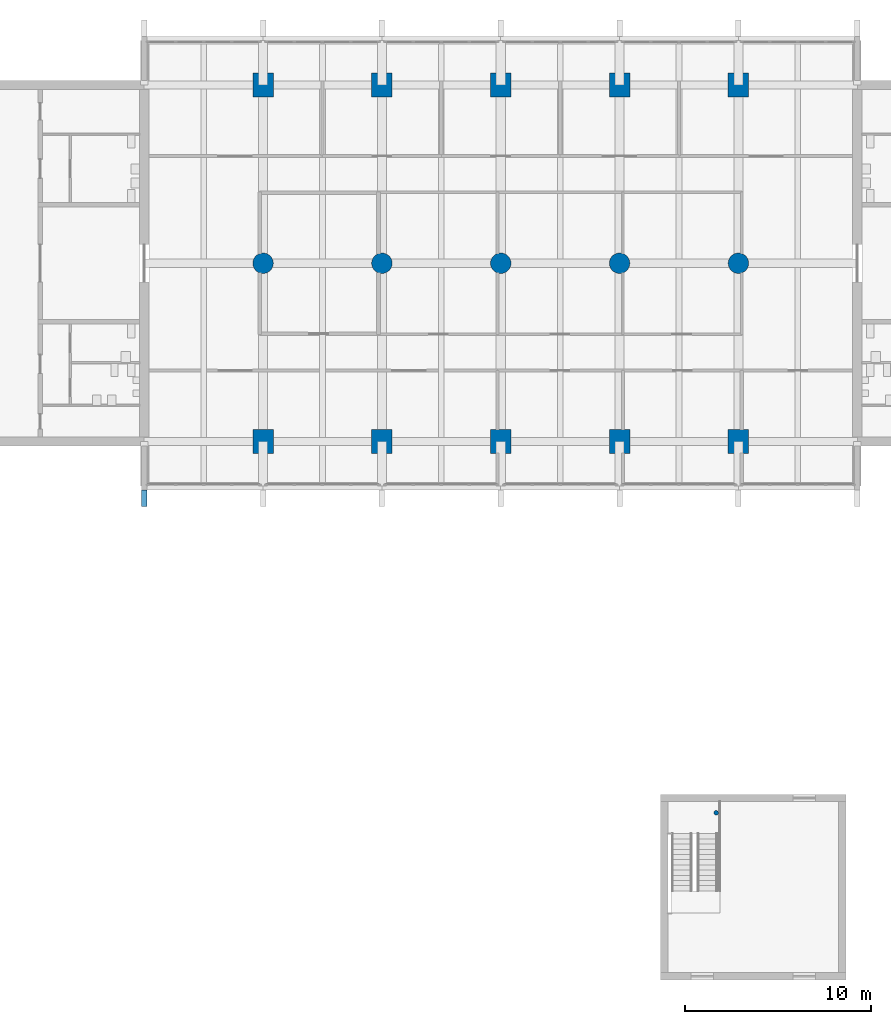
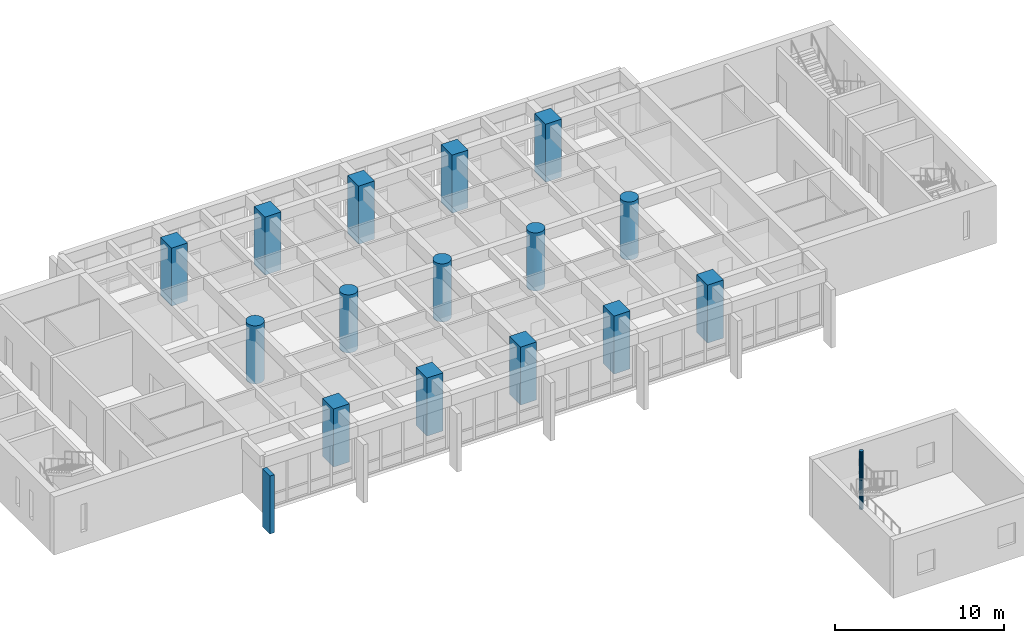
# One storey, part 1 of 18: 16 columns, 1 member.
"""IFC4 building model written with IfcOpenShell, lengths in metres."""

from ifc_helpers import new_model, si_unit, direction, frame, origin, origin_2d, place, context, subcontext, project, spatial, rectangle, circle, extrude, material, material_profile, profile_set, type_object, element, save


model = new_model("IFC4")

# Units and contexts
model_context = context("Model", 3, precision=1e-05, world=origin(), true_north=direction((0.0, 1.0)))
body_context = subcontext(model_context, "Body", "Model", "MODEL_VIEW")
ifc_project = project(units=[si_unit("LENGTHUNIT", "METRE"), si_unit("AREAUNIT", "SQUARE_METRE"), si_unit("VOLUMEUNIT", "CUBIC_METRE"), si_unit("PLANEANGLEUNIT", "RADIAN"), si_unit("MASSUNIT", "GRAM", prefix="KILO")], contexts=[model_context])

# Site, building, storey
site_placement = place(None, origin())
site = spatial("IfcSite", under=ifc_project, at=site_placement, CompositionType="ELEMENT")
building_placement = place(site_placement, origin())
building = spatial("IfcBuilding", under=site, at=building_placement, Name="Fogon Plaza Fire Station and Headquarters Tower", CompositionType="ELEMENT")
storey_placement = place(building_placement, frame((0.0, 0.0, 12.89990234375)))
storey = spatial("IfcBuildingStorey", under=building, at=storey_placement, Name="L03", CompositionType="ELEMENT", Elevation=12.89990234375)

# Columns
ifc_material_1 = material(Name="Concrete C40", Category="concrete")
ifc_material_profile_1 = material_profile(ifc_material_1, rectangle(XDim=1.10009765625, YDim=1.300048828125, at=origin_2d()), Name="RC 1100x1300")
ifc_profile_set_1 = profile_set([ifc_material_profile_1], Name="Concrete C40")
column_type_1 = type_object("IfcColumnType", Name="COLUMN RC 1100x1300", PredefinedType="COLUMN", material=ifc_profile_set_1)
for number, where, z_axis, x_axis, name in (
    (1, (32.0, 33.60009765625, 0.0), (0.0, 0.0, 1.0), (1.0, 0.0, 0.0), "col-L03-4E"),
    (2, (32.0, 52.800048828125, 0.0), (0.0, 0.0, 1.0), (1.0, 0.0, 0.0), "col-L03-4G"),
    (3, (38.39990234375, 33.60009765625, 0.0), (0.0, 0.0, 1.0), (1.0, 0.0, 0.0), "col-L03-5E"),
    (4, (38.39990234375, 52.800048828125, 0.0), (0.0, 0.0, 1.0), (1.0, 0.0, 0.0), "col-L03-5G"),
    (5, (44.800048828125, 33.60009765625, 0.0), (0.0, 0.0, 1.0), (1.0, 0.0, 0.0), "col-L03-6E"),
    (6, (44.800048828125, 52.800048828125, 0.0), (0.0, 0.0, 1.0), (1.0, 0.0, 0.0), "col-L03-6G"),
    (7, (51.199951171875, 33.60009765625, 0.0), (0.0, 0.0, 1.0), (1.0, 0.0, 0.0), "col-L03-7E"),
    (8, (51.199951171875, 52.800048828125, 0.0), (0.0, 0.0, 1.0), (1.0, 0.0, 0.0), "col-L03-7G"),
    (9, (57.60009765625, 33.60009765625, 0.0), (0.0, 0.0, 1.0), (1.0, 0.0, 0.0), "col-L03-8E"),
    (10, (57.60009765625, 52.800048828125, 0.0), (0.0, 0.0, 1.0), (1.0, 0.0, 0.0), "col-L03-8G"),
):
    element("IfcColumn", number, at=place(storey_placement, frame(where, z_axis=z_axis, x_axis=x_axis)), inside=storey, type_object=column_type_1, Name=name, PredefinedType="COLUMN", context=body_context, shape_type="SweptSolid", body=[
        extrude(rectangle(XDim=1.10009765625, YDim=1.300048828125, at=origin_2d()), origin(), (0.0, 0.0, 1.0), 4.2001953125),
    ])
ifc_material_2 = material(Name="Concrete C40", Category="concrete")
ifc_material_profile_2 = material_profile(ifc_material_2, circle(Radius=0.550048828125, at=origin_2d()), Name="RC D1100")
ifc_profile_set_2 = profile_set([ifc_material_profile_2], Name="Concrete C40")
column_type_2 = type_object("IfcColumnType", Name="COLUMN RC D1100", PredefinedType="COLUMN", material=ifc_profile_set_2)
for number, where, z_axis, x_axis, name in (
    (11, (32.0, 43.199951171875, 0.0), (0.0, 0.0, 1.0), (1.0, 0.0, 0.0), "col-L03-4F"),
    (12, (38.39990234375, 43.199951171875, 0.0), (0.0, 0.0, 1.0), (1.0, 0.0, 0.0), "col-L03-5F"),
    (13, (44.800048828125, 43.199951171875, 0.0), (0.0, 0.0, 1.0), (1.0, 0.0, 0.0), "col-L03-6F"),
    (14, (51.199951171875, 43.199951171875, 0.0), (0.0, 0.0, 1.0), (1.0, 0.0, 0.0), "col-L03-7F"),
    (15, (57.60009765625, 43.199951171875, 0.0), (0.0, 0.0, 1.0), (1.0, 0.0, 0.0), "col-L03-8F"),
):
    element("IfcColumn", number, at=place(storey_placement, frame(where, z_axis=z_axis, x_axis=x_axis)), inside=storey, type_object=column_type_2, Name=name, PredefinedType="COLUMN", context=body_context, shape_type="SweptSolid", body=[
        extrude(circle(Radius=0.550048828125, at=origin_2d()), origin(), (0.0, 0.0, 1.0), 4.2001953125),
    ])
ifc_material_3 = material(Name="Concrete C40", Category="concrete")
ifc_material_profile_3 = material_profile(ifc_material_3, circle(Radius=0.125, at=origin_2d()), Name="RC D250")
ifc_profile_set_3 = profile_set([ifc_material_profile_3], Name="Concrete C40")
column_type_3 = type_object("IfcColumnType", Name="COLUMN RC D250", PredefinedType="COLUMN", material=ifc_profile_set_3)
column_placement = place(storey_placement, frame((56.39990234375, 13.60009765625, 0.0), z_axis=(0.0, 0.0, 1.0), x_axis=(1.0, 0.0, 0.0)))
element("IfcColumn", 16, at=column_placement, inside=storey, type_object=column_type_3, Name="Drill stair post L03", PredefinedType="COLUMN", context=body_context, shape_type="SweptSolid", body=[
    extrude(circle(Radius=0.125, at=origin_2d()), origin(), (0.0, 0.0, 1.0), 4.2001953125),
])

# Member
ifc_material_4 = material(Name="Concrete C40 precast", Category="concrete")
ifc_material_profile_4 = material_profile(ifc_material_4, rectangle(XDim=0.300048828125, YDim=0.89990234375, at=origin_2d()), Name="Precast Concrete Post 300x900")
ifc_profile_set_4 = profile_set([ifc_material_profile_4], Name="Concrete C40 precast")
member_type = type_object("IfcMemberType", Name="Precast Concrete Post 300x900", PredefinedType="POST", material=ifc_profile_set_4)
member_placement = place(storey_placement, frame((25.60009765625, 30.550048828125, -1.02001953125), z_axis=(0.0, 0.0, 1.0), x_axis=(1.0, 0.0, 0.0)))
element("IfcMember", 17, at=member_placement, inside=storey, type_object=member_type, Name="Precast Post S L03", PredefinedType="POST", context=body_context, shape_type="SweptSolid", body=[
    extrude(rectangle(XDim=0.300048828125, YDim=0.89990234375, at=origin_2d()), origin(), (0.0, 0.0, 1.0), 4.2001953125),
])

save(model, "model.ifc")
